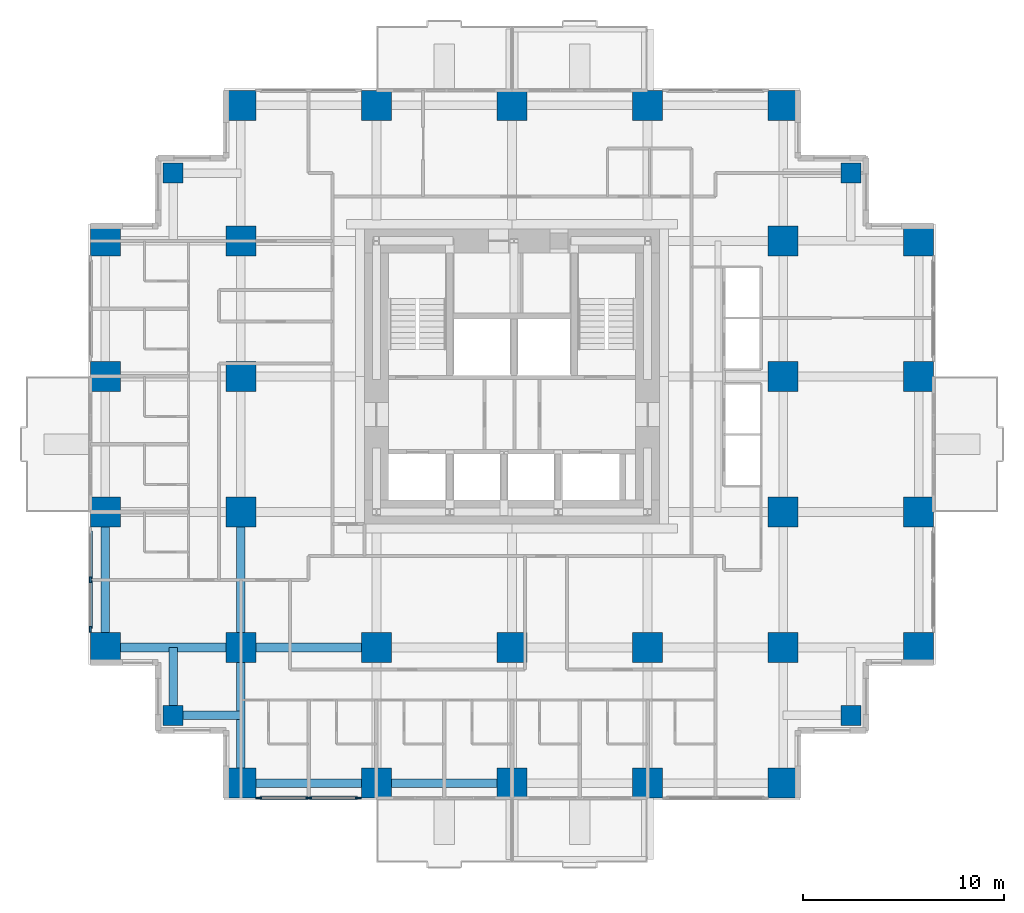
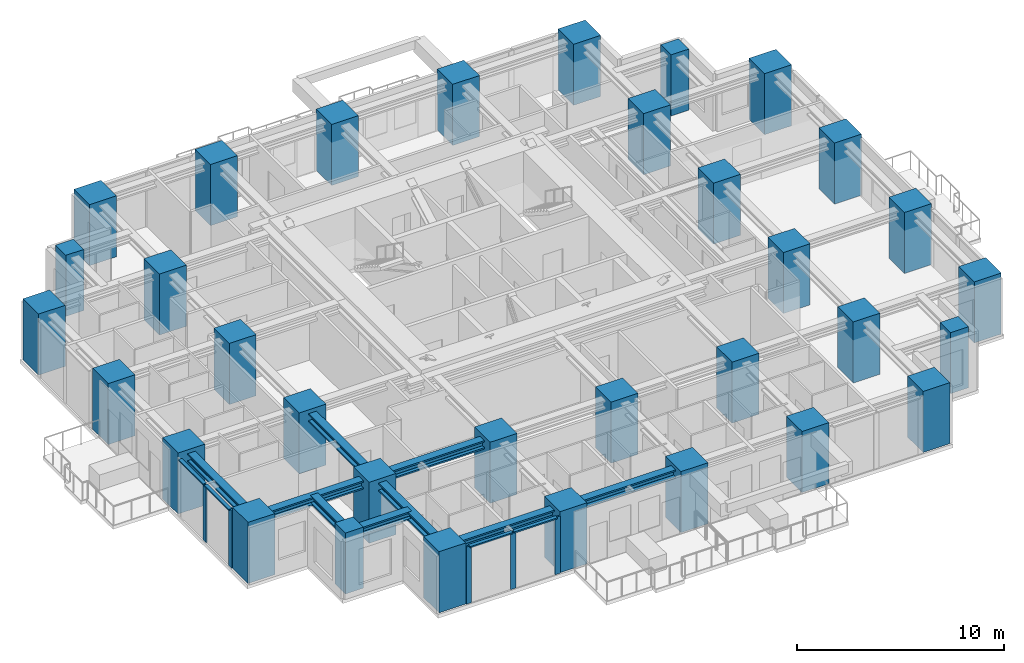
# One storey, part 1 of 11: 33 columns, 9 beams, 9 members, 2 elements without a shape of their own.
"""IFC4 building model written with IfcOpenShell, lengths in metres."""

from ifc_helpers import new_model, si_unit, direction, frame, origin, origin_2d, place, context, subcontext, project, spatial, rectangle, i_section, extrude, material, material_profile, profile_set, type_object, element, aggregate, save


model = new_model("IFC4")

# Units and contexts
model_context = context("Model", 3, precision=1e-05, world=origin(), true_north=direction((0.0, 1.0)))
body_context = subcontext(model_context, "Body", "Model", "MODEL_VIEW")
ifc_project = project(units=[si_unit("LENGTHUNIT", "METRE"), si_unit("AREAUNIT", "SQUARE_METRE"), si_unit("VOLUMEUNIT", "CUBIC_METRE"), si_unit("PLANEANGLEUNIT", "RADIAN"), si_unit("MASSUNIT", "GRAM", prefix="KILO")], contexts=[model_context])

# Site, building, storey
site_placement = place(None, origin())
site = spatial("IfcSite", under=ifc_project, at=site_placement, CompositionType="ELEMENT")
building_placement = place(site_placement, origin())
building = spatial("IfcBuilding", under=site, at=building_placement, Name="Nyansa Garden Tower", CompositionType="ELEMENT")
storey_placement = place(building_placement, frame((0.0, 0.0, 108.89990234375)))
storey = spatial("IfcBuildingStorey", under=building, at=storey_placement, Name="L29", CompositionType="ELEMENT", Elevation=108.89990234375)

# Columns
ifc_material_1 = material(Name="Concrete C70/85", Category="concrete")
ifc_material_profile_1 = material_profile(ifc_material_1, rectangle(XDim=1.0, YDim=1.0, at=origin_2d()), Name="RC 1000x1000")
ifc_profile_set_1 = profile_set([ifc_material_profile_1], Name="Concrete C70/85")
column_type_1 = type_object("IfcColumnType", Name="Column C100 RC 1000x1000", PredefinedType="COLUMN", material=ifc_profile_set_1)
for number, where, z_axis, x_axis, name in (
    (1, (3.375, 3.375, 0.0), (0.0, 0.0, 1.0), (1.0, 0.0, 0.0), "Column x3.375/y3.375 L29"),
    (2, (3.375, 30.375, 0.0), (0.0, 0.0, 1.0), (1.0, 0.0, 0.0), "Column x3.375/y30.375 L29"),
    (3, (37.125, 3.375, 0.0), (0.0, 0.0, 1.0), (1.0, 0.0, 0.0), "Column x37.125/y3.375 L29"),
    (4, (37.125, 30.375, 0.0), (0.0, 0.0, 1.0), (1.0, 0.0, 0.0), "Column x37.125/y30.375 L29"),
):
    element("IfcColumn", number, at=place(storey_placement, frame(where, z_axis=z_axis, x_axis=x_axis)), inside=storey, type_object=column_type_1, Name=name, PredefinedType="COLUMN", context=body_context, shape_type="SweptSolid", body=[
        extrude(rectangle(XDim=1.0, YDim=1.0, at=origin_2d()), origin(), (0.0, 0.0, 1.0), 3.60009765625),
    ])
ifc_material_2 = material(Name="Concrete C80/95", Category="concrete")
ifc_material_profile_2 = material_profile(ifc_material_2, rectangle(XDim=1.5, YDim=1.5, at=origin_2d()), Name="RC 1500x1500")
ifc_profile_set_2 = profile_set([ifc_material_profile_2], Name="Concrete C80/95")
column_type_2 = type_object("IfcColumnType", Name="Column C150 RC 1500x1500", PredefinedType="COLUMN", material=ifc_profile_set_2)
for number, where, z_axis, x_axis, name in (
    (5, (0.0, 6.75, 0.0), (0.0, 0.0, 1.0), (1.0, 0.0, 0.0), "Column 2/E L29"),
    (6, (0.0, 13.5, 0.0), (0.0, 0.0, 1.0), (1.0, 0.0, 0.0), "Column 2/F L29"),
    (7, (0.0, 20.25, 0.0), (0.0, 0.0, 1.0), (1.0, 0.0, 0.0), "Column 2/G L29"),
    (8, (0.0, 27.0, 0.0), (0.0, 0.0, 1.0), (1.0, 0.0, 0.0), "Column 2/H L29"),
    (9, (6.75, 0.0, 0.0), (0.0, 0.0, 1.0), (1.0, 0.0, 0.0), "Column 3/D L29"),
    (10, (6.75, 6.75, 0.0), (0.0, 0.0, 1.0), (1.0, 0.0, 0.0), "Column 3/E L29"),
    (11, (6.75, 13.5, 0.0), (0.0, 0.0, 1.0), (1.0, 0.0, 0.0), "Column 3/F L29"),
    (12, (6.75, 20.25, 0.0), (0.0, 0.0, 1.0), (1.0, 0.0, 0.0), "Column 3/G L29"),
    (13, (6.75, 27.0, 0.0), (0.0, 0.0, 1.0), (1.0, 0.0, 0.0), "Column 3/H L29"),
    (14, (6.75, 33.75, 0.0), (0.0, 0.0, 1.0), (1.0, 0.0, 0.0), "Column 3/J L29"),
    (15, (13.5, 0.0, 0.0), (0.0, 0.0, 1.0), (1.0, 0.0, 0.0), "Column 4/D L29"),
    (16, (13.5, 6.75, 0.0), (0.0, 0.0, 1.0), (1.0, 0.0, 0.0), "Column 4/E L29"),
    (17, (13.5, 33.75, 0.0), (0.0, 0.0, 1.0), (1.0, 0.0, 0.0), "Column 4/J L29"),
    (18, (20.25, 0.0, 0.0), (0.0, 0.0, 1.0), (1.0, 0.0, 0.0), "Column 5/D L29"),
    (19, (20.25, 6.75, 0.0), (0.0, 0.0, 1.0), (1.0, 0.0, 0.0), "Column 5/E L29"),
    (20, (20.25, 33.75, 0.0), (0.0, 0.0, 1.0), (1.0, 0.0, 0.0), "Column 5/J L29"),
    (21, (27.0, 0.0, 0.0), (0.0, 0.0, 1.0), (1.0, 0.0, 0.0), "Column 6/D L29"),
    (22, (27.0, 6.75, 0.0), (0.0, 0.0, 1.0), (1.0, 0.0, 0.0), "Column 6/E L29"),
    (23, (27.0, 33.75, 0.0), (0.0, 0.0, 1.0), (1.0, 0.0, 0.0), "Column 6/J L29"),
    (24, (33.75, 0.0, 0.0), (0.0, 0.0, 1.0), (1.0, 0.0, 0.0), "Column 7/D L29"),
    (25, (33.75, 6.75, 0.0), (0.0, 0.0, 1.0), (1.0, 0.0, 0.0), "Column 7/E L29"),
    (26, (33.75, 13.5, 0.0), (0.0, 0.0, 1.0), (1.0, 0.0, 0.0), "Column 7/F L29"),
    (27, (33.75, 20.25, 0.0), (0.0, 0.0, 1.0), (1.0, 0.0, 0.0), "Column 7/G L29"),
    (28, (33.75, 27.0, 0.0), (0.0, 0.0, 1.0), (1.0, 0.0, 0.0), "Column 7/H L29"),
    (29, (33.75, 33.75, 0.0), (0.0, 0.0, 1.0), (1.0, 0.0, 0.0), "Column 7/J L29"),
    (30, (40.5, 6.75, 0.0), (0.0, 0.0, 1.0), (1.0, 0.0, 0.0), "Column 8/E L29"),
    (31, (40.5, 13.5, 0.0), (0.0, 0.0, 1.0), (1.0, 0.0, 0.0), "Column 8/F L29"),
    (32, (40.5, 20.25, 0.0), (0.0, 0.0, 1.0), (1.0, 0.0, 0.0), "Column 8/G L29"),
    (33, (40.5, 27.0, 0.0), (0.0, 0.0, 1.0), (1.0, 0.0, 0.0), "Column 8/H L29"),
):
    element("IfcColumn", number, at=place(storey_placement, frame(where, z_axis=z_axis, x_axis=x_axis)), inside=storey, type_object=column_type_2, Name=name, PredefinedType="COLUMN", context=body_context, shape_type="SweptSolid", body=[
        extrude(rectangle(XDim=1.5, YDim=1.5, at=origin_2d()), origin(), (0.0, 0.0, 1.0), 3.60009765625),
    ])

# Curtain wall, members
ifc_material_3 = material(Name="Black anodised aluminium, dark tinted double glazing", Category="aluminium")
curtain_wall_type = type_object("IfcCurtainWallType", Name="Sky lounge curtain wall SLW", PredefinedType="USERDEFINED", material=ifc_material_3)
curtain_wall_1_placement = place(storey_placement, origin())
curtain_wall_1 = element("IfcCurtainWall", 34, at=curtain_wall_1_placement, inside=storey, type_object=curtain_wall_type, Name="Inner skin curtain wall L29 W", ObjectType="UNITISED CURTAIN WALL", PredefinedType="USERDEFINED")
ifc_material_4 = material(Name="Black anodised aluminium", Category="aluminium")
ifc_material_profile_3 = material_profile(ifc_material_4, rectangle(XDim=0.080078125, YDim=0.300048828125, at=origin_2d()), Name="Mullion 300x80")
ifc_profile_set_3 = profile_set([ifc_material_profile_3], Name="Black anodised aluminium")
member_type_1 = type_object("IfcMemberType", Name="Mullion SLW 300x80", PredefinedType="MULLION", material=ifc_profile_set_3)
member_1_placement = place(storey_placement, frame((-0.75, 10.125, 0.0), z_axis=(0.0, 0.0, 1.0), x_axis=(1.0, 0.0, 0.0)))
member_1 = element("IfcMember", 35, at=member_1_placement, type_object=member_type_1, Name="SLW mullion 2", PredefinedType="MULLION", context=body_context, shape_type="SweptSolid", body=[
    extrude(rectangle(XDim=0.080078125, YDim=0.300048828125, at=origin_2d()), origin(), (0.0, 0.0, 1.0), 3.375),
])
member_2_placement = place(storey_placement, frame((-0.75, 7.64990234375, 0.0), z_axis=(0.0, 0.0, 1.0), x_axis=(1.0, 0.0, 0.0)))
member_2 = element("IfcMember", 36, at=member_2_placement, type_object=member_type_1, Name="SLW mullion 3", PredefinedType="MULLION", context=body_context, shape_type="SweptSolid", body=[
    extrude(rectangle(XDim=0.080078125, YDim=0.300048828125, at=origin_2d()), origin(), (0.0, 0.0, 1.0), 3.375),
])

curtain_wall_2_placement = place(storey_placement, origin())
curtain_wall_2 = element("IfcCurtainWall", 37, at=curtain_wall_2_placement, inside=storey, type_object=curtain_wall_type, Name="Inner skin curtain wall L29 S", ObjectType="UNITISED CURTAIN WALL", PredefinedType="USERDEFINED")
member_3_placement = place(storey_placement, frame((7.64990234375, -0.75, 0.0), z_axis=(0.0, 0.0, 1.0), x_axis=(0.0, 1.0, 0.0)))
member_3 = element("IfcMember", 38, at=member_3_placement, type_object=member_type_1, Name="SLW mullion 1", PredefinedType="MULLION", context=body_context, shape_type="SweptSolid", body=[
    extrude(rectangle(XDim=0.080078125, YDim=0.300048828125, at=origin_2d()), origin(), (0.0, 0.0, 1.0), 3.375),
])
member_4_placement = place(storey_placement, frame((10.125, -0.75, 0.0), z_axis=(0.0, 0.0, 1.0), x_axis=(0.0, 1.0, 0.0)))
member_4 = element("IfcMember", 39, at=member_4_placement, type_object=member_type_1, Name="SLW mullion 2", PredefinedType="MULLION", context=body_context, shape_type="SweptSolid", body=[
    extrude(rectangle(XDim=0.080078125, YDim=0.300048828125, at=origin_2d()), origin(), (0.0, 0.0, 1.0), 3.375),
])
member_5_placement = place(storey_placement, frame((12.60009765625, -0.75, 0.0), z_axis=(0.0, 0.0, 1.0), x_axis=(0.0, 1.0, 0.0)))
member_5 = element("IfcMember", 40, at=member_5_placement, type_object=member_type_1, Name="SLW mullion 3", PredefinedType="MULLION", context=body_context, shape_type="SweptSolid", body=[
    extrude(rectangle(XDim=0.080078125, YDim=0.300048828125, at=origin_2d()), origin(), (0.0, 0.0, 1.0), 3.375),
])

# Beams
ifc_material_5 = material(Name="Steel S355", Category="steel")
ifc_material_profile_4 = material_profile(ifc_material_5, i_section(OverallWidth=0.431884765625, OverallDepth=0.498046875, WebThickness=0.0556640625, FlangeThickness=0.0888671875, FilletRadius=0.014892578125, at=origin_2d()), Name="HD 400x744")
ifc_profile_set_4 = profile_set([ifc_material_profile_4], Name="Steel S355")
beam_type_1 = type_object("IfcBeamType", Name="Steel beam SBB1-744 HD 400x744", PredefinedType="BEAM", material=ifc_profile_set_4)
for number, where, z_axis, x_axis, name in (
    (41, (0.0, 6.75, 3.1259765625), (1.0, 0.0, 0.0), (0.0, 1.0, 0.0), "Steel beam 2/E-3/E L30"),
    (42, (6.75, 0.0, 3.1259765625), (0.0, 1.0, 0.0), (-1.0, 0.0, 0.0), "Steel beam 3/D-3/E L30"),
    (43, (6.75, 6.75, 3.1259765625), (0.0, 1.0, 0.0), (-1.0, 0.0, 0.0), "Steel beam 3/E-3/F L30"),
    (44, (6.75, 6.75, 3.1259765625), (1.0, 0.0, 0.0), (0.0, 1.0, 0.0), "Steel beam 3/E-4/E L30"),
):
    element("IfcBeam", number, at=place(storey_placement, frame(where, z_axis=z_axis, x_axis=x_axis)), inside=storey, type_object=beam_type_1, Name=name, PredefinedType="BEAM", context=body_context, shape_type="SweptSolid", body=[
        extrude(i_section(OverallWidth=0.431884765625, OverallDepth=0.498046875, WebThickness=0.0556640625, FlangeThickness=0.0888671875, FilletRadius=0.014892578125, at=origin_2d()), origin(), (0.0, 0.0, 1.0), 6.75),
    ])
ifc_material_6 = material(Name="Steel S355", Category="steel")
ifc_material_profile_5 = material_profile(ifc_material_6, i_section(OverallWidth=0.431884765625, OverallDepth=0.498046875, WebThickness=0.0556640625, FlangeThickness=0.0888671875, FilletRadius=0.014892578125, at=origin_2d()), Name="HD 400x744")
ifc_profile_set_5 = profile_set([ifc_material_profile_5], Name="Steel S355")
beam_type_2 = type_object("IfcBeamType", Name="Steel beam SEBB-744 HD 400x744", PredefinedType="BEAM", material=ifc_profile_set_5)
for number, where, z_axis, x_axis, name in (
    (45, (0.0, 6.75, 3.1259765625), (0.0, 1.0, 0.0), (-1.0, 0.0, 0.0), "Steel edge beam 2/E-2/F L30"),
    (46, (6.75, 0.0, 3.1259765625), (1.0, 0.0, 0.0), (0.0, 1.0, 0.0), "Steel edge beam 3/D-4/D L30"),
    (47, (13.5, 0.0, 3.1259765625), (1.0, 0.0, 0.0), (0.0, 1.0, 0.0), "Steel edge beam 4/D-5/D L30"),
):
    element("IfcBeam", number, at=place(storey_placement, frame(where, z_axis=z_axis, x_axis=x_axis)), inside=storey, type_object=beam_type_2, Name=name, PredefinedType="BEAM", context=body_context, shape_type="SweptSolid", body=[
        extrude(i_section(OverallWidth=0.431884765625, OverallDepth=0.498046875, WebThickness=0.0556640625, FlangeThickness=0.0888671875, FilletRadius=0.014892578125, at=origin_2d()), origin(), (0.0, 0.0, 1.0), 6.75),
    ])
ifc_material_7 = material(Name="Steel S355", Category="steel")
ifc_material_profile_6 = material_profile(ifc_material_7, i_section(OverallWidth=0.431884765625, OverallDepth=0.498046875, WebThickness=0.0556640625, FlangeThickness=0.0888671875, FilletRadius=0.014892578125, at=origin_2d()), Name="HD 400x744")
ifc_profile_set_6 = profile_set([ifc_material_profile_6], Name="Steel S355")
beam_type_3 = type_object("IfcBeamType", Name="Steel beam SSB1-744 HD 400x744", PredefinedType="BEAM", material=ifc_profile_set_6)
for number, where, z_axis, x_axis, name in (
    (48, (3.375, 3.375, 3.1259765625), (0.0, 1.0, 0.0), (-1.0, 0.0, 0.0), "Steel step beam 3.375/3.375 L30"),
    (49, (3.375, 3.375, 3.1259765625), (1.0, 0.0, 0.0), (0.0, 1.0, 0.0), "Steel step beam 3.375/3.375 L30"),
):
    element("IfcBeam", number, at=place(storey_placement, frame(where, z_axis=z_axis, x_axis=x_axis)), inside=storey, type_object=beam_type_3, Name=name, PredefinedType="BEAM", context=body_context, shape_type="SweptSolid", body=[
        extrude(i_section(OverallWidth=0.431884765625, OverallDepth=0.498046875, WebThickness=0.0556640625, FlangeThickness=0.0888671875, FilletRadius=0.014892578125, at=origin_2d()), origin(), (0.0, 0.0, 1.0), 3.375),
    ])

# Member
ifc_material_8 = material(Name="Black anodised aluminium", Category="aluminium")
ifc_material_profile_7 = material_profile(ifc_material_8, rectangle(XDim=0.199951171875, YDim=0.080078125, at=origin_2d()), Name="Transom 200x80")
ifc_profile_set_7 = profile_set([ifc_material_profile_7], Name="Black anodised aluminium")
member_type_2 = type_object("IfcMemberType", Name="Transom SLW 200x80", PredefinedType="USERDEFINED", material=ifc_profile_set_7)
member_6_placement = place(storey_placement, frame((-0.75, 12.56005859375, 3.335205078125), z_axis=(0.0, -1.0, 0.0), x_axis=(1.0, 0.0, 0.0)))
member_6 = element("IfcMember", 50, at=member_6_placement, type_object=member_type_2, Name="SLW transom 1", ObjectType="TRANSOM", PredefinedType="USERDEFINED", context=body_context, shape_type="SweptSolid", body=[
    extrude(rectangle(XDim=0.199951171875, YDim=0.080078125, at=origin_2d()), origin(), (0.0, 0.0, 1.0), 2.39501953125),
])

member_7_placement = place(storey_placement, frame((-0.75, 10.0849609375, 3.335205078125), z_axis=(0.0, -1.0, 0.0), x_axis=(1.0, 0.0, 0.0)))
member_7 = element("IfcMember", 51, at=member_7_placement, type_object=member_type_2, Name="SLW transom 2", ObjectType="TRANSOM", PredefinedType="USERDEFINED", context=body_context, shape_type="SweptSolid", body=[
    extrude(rectangle(XDim=0.199951171875, YDim=0.080078125, at=origin_2d()), origin(), (0.0, 0.0, 1.0), 2.39501953125),
])

aggregate(curtain_wall_1, [member_1, member_2, member_6, member_7])

member_8_placement = place(storey_placement, frame((7.68994140625, -0.75, 3.335205078125), z_axis=(1.0, 0.0, 0.0), x_axis=(0.0, 1.0, 0.0)))
member_8 = element("IfcMember", 52, at=member_8_placement, type_object=member_type_2, Name="SLW transom 1", ObjectType="TRANSOM", PredefinedType="USERDEFINED", context=body_context, shape_type="SweptSolid", body=[
    extrude(rectangle(XDim=0.199951171875, YDim=0.080078125, at=origin_2d()), origin(), (0.0, 0.0, 1.0), 2.39501953125),
])

member_9_placement = place(storey_placement, frame((10.1650390625, -0.75, 3.335205078125), z_axis=(1.0, 0.0, 0.0), x_axis=(0.0, 1.0, 0.0)))
member_9 = element("IfcMember", 53, at=member_9_placement, type_object=member_type_2, Name="SLW transom 2", ObjectType="TRANSOM", PredefinedType="USERDEFINED", context=body_context, shape_type="SweptSolid", body=[
    extrude(rectangle(XDim=0.199951171875, YDim=0.080078125, at=origin_2d()), origin(), (0.0, 0.0, 1.0), 2.39501953125),
])

aggregate(curtain_wall_2, [member_3, member_4, member_5, member_8, member_9])

save(model, "model.ifc")
